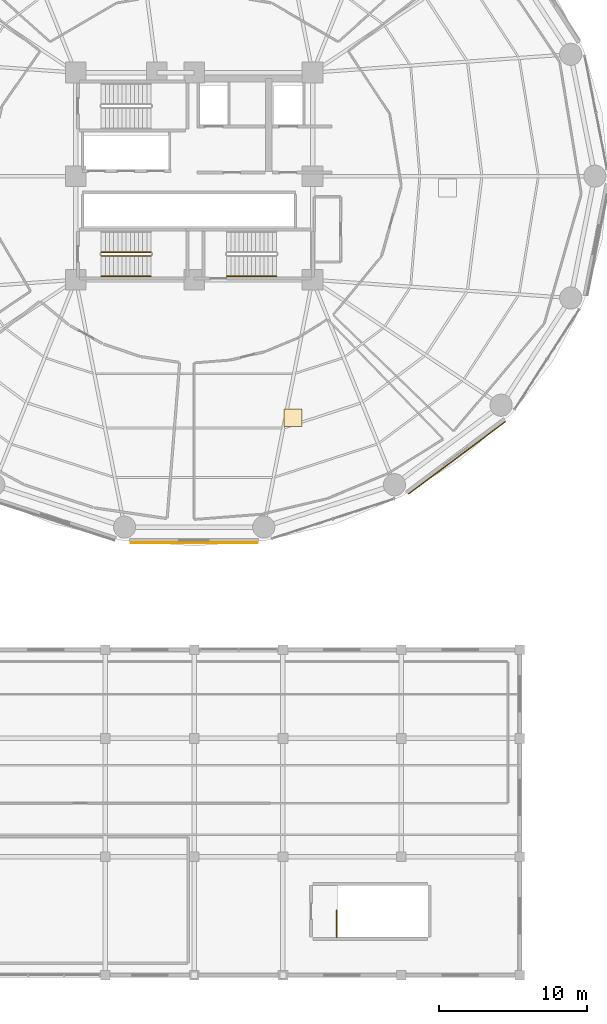
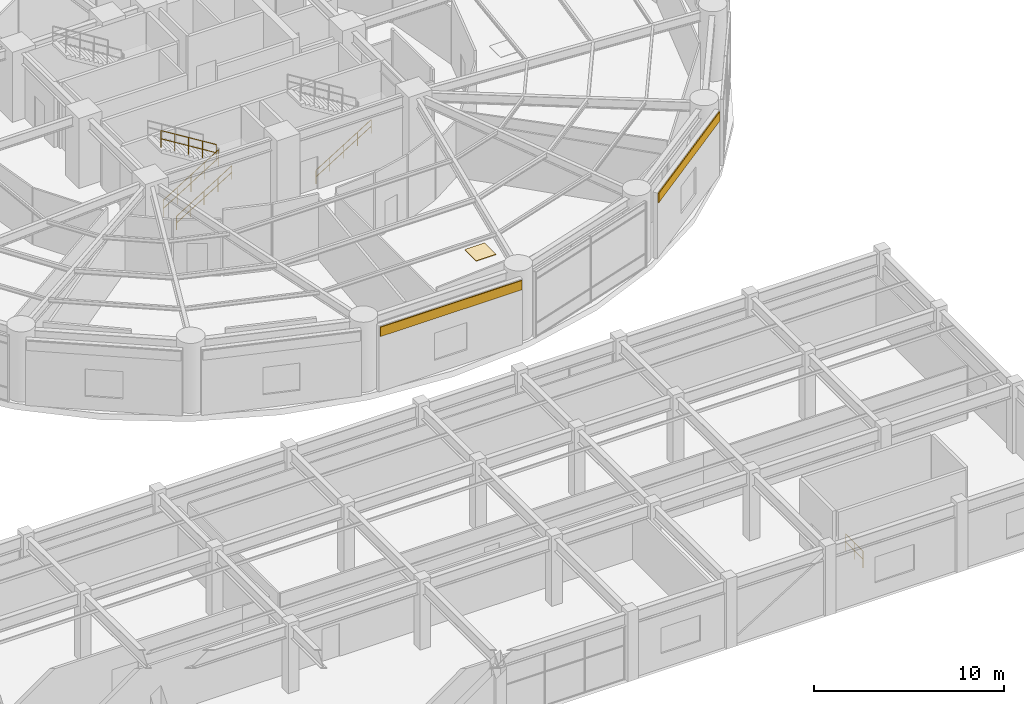
# One storey, part 44 of 46: 5 railings, 3 coverings.
"""IFC4 building model written with IfcOpenShell, lengths in metres."""

from ifc_helpers import new_model, si_unit, direction, frame, origin, origin_2d, place, context, subcontext, project, spatial, polyline, rectangle, outline, extrude, source, transform, mapped, material, layer, layer_set, type_object, element, save


model = new_model("IFC4")

# Units and contexts
model_context = context("Model", 3, precision=1e-05, world=origin(), true_north=direction((0.0, 1.0)))
body_context = subcontext(model_context, "Body", "Model", "MODEL_VIEW")
ifc_project = project(units=[si_unit("LENGTHUNIT", "METRE"), si_unit("AREAUNIT", "SQUARE_METRE"), si_unit("VOLUMEUNIT", "CUBIC_METRE"), si_unit("PLANEANGLEUNIT", "RADIAN"), si_unit("MASSUNIT", "GRAM", prefix="KILO")], contexts=[model_context])

# Site, building, storey
site_placement = place(None, origin())
site = spatial("IfcSite", under=ifc_project, at=site_placement, CompositionType="ELEMENT")
building_placement = place(site_placement, origin())
building = spatial("IfcBuilding", under=site, at=building_placement, Name="Kelanora Arch Commons", CompositionType="ELEMENT")
storey_placement = place(building_placement, frame((0.0, 0.0, 18.0)))
storey = spatial("IfcBuildingStorey", under=building, at=storey_placement, Name="L04", CompositionType="ELEMENT", Elevation=18.0)

# Railings
ifc_material_1 = material(Name="Painted steel stair well guard", Category="steel")
railing_type_1 = type_object("IfcRailingType", Name="RAIL-STAIR-GRD", PredefinedType="GUARDRAIL", material=ifc_material_1)
railing_1_placement = place(storey_placement, frame((67.719970703125, 52.610107421875, 0.173095703125)))
element("IfcRailing", 1, at=railing_1_placement, inside=storey, type_object=railing_type_1, Name="L04 ST-T3 stair guard 1", PredefinedType="GUARDRAIL", context=body_context, shape_type="SweptSolid", body=[
    extrude(outline(polyline([(0.02392578125, 0.0), (0.011962890625, 0.020751953125), (-0.011962890625, 0.020751953125), (-0.02392578125, 0.0), (-0.011962890625, -0.020751953125), (0.011962890625, -0.020751953125), (0.02392578125, 0.0)])), frame((0.0, 0.0, 1.076171875), z_axis=(0.850623216509, 0.0, 0.525775754039), x_axis=(0.0, 1.0, 0.0)), (0.0, 0.0, 1.0), 3.9501953125),
    extrude(outline(polyline([(0.02392578125, 0.0), (0.011962890625, 0.020751953125), (-0.011962890625, 0.020751953125), (-0.02392578125, 0.0), (-0.011962890625, -0.020751953125), (0.011962890625, -0.020751953125), (0.02392578125, 0.0)])), frame((0.0, 0.0, 0.550048828125), z_axis=(0.850623216509, 0.0, 0.525775754039), x_axis=(0.0, 1.0, 0.0)), (0.0, 0.0, 1.0), 3.9501953125),
    extrude(outline(polyline([(0.02099609375, 0.0), (0.010498046875, 0.01806640625), (-0.010498046875, 0.01806640625), (-0.02099609375, 0.0), (-0.010498046875, -0.01806640625), (0.010498046875, -0.01806640625), (0.02099609375, 0.0)])), origin(), (0.0, 0.0, 1.0), 1.052001953125),
    extrude(outline(polyline([(0.02099609375, 0.0), (0.010498046875, 0.01806640625), (-0.010498046875, 0.01806640625), (-0.02099609375, 0.0), (-0.010498046875, -0.01806640625), (0.010498046875, -0.01806640625), (0.02099609375, 0.0)])), frame((0.840087890625, 0.0, 0.519287109375)), (0.0, 0.0, 1.0), 1.052001953125),
    extrude(outline(polyline([(0.02099609375, 0.0), (0.010498046875, 0.01806640625), (-0.010498046875, 0.01806640625), (-0.02099609375, 0.0), (-0.010498046875, -0.01806640625), (0.010498046875, -0.01806640625), (0.02099609375, 0.0)])), frame((1.68017578125, 0.0, 1.03857421875)), (0.0, 0.0, 1.0), 1.052001953125),
    extrude(outline(polyline([(0.02099609375, 0.0), (0.010498046875, 0.01806640625), (-0.010498046875, 0.01806640625), (-0.02099609375, 0.0), (-0.010498046875, -0.01806640625), (0.010498046875, -0.01806640625), (0.02099609375, 0.0)])), frame((2.52001953125, 0.0, 1.5576171875)), (0.0, 0.0, 1.0), 1.052001953125),
    extrude(outline(polyline([(0.02099609375, 0.0), (0.010498046875, 0.01806640625), (-0.010498046875, 0.01806640625), (-0.02099609375, 0.0), (-0.010498046875, -0.01806640625), (0.010498046875, -0.01806640625), (0.02099609375, 0.0)])), frame((3.360107421875, 0.0, 2.076904296875)), (0.0, 0.0, 1.0), 1.052001953125),
])
railing_2_placement = place(storey_placement, frame((71.080078125, 52.860107421875, 2.423095703125)))
element("IfcRailing", 2, at=railing_2_placement, inside=storey, type_object=railing_type_1, Name="L04 ST-T3 stair guard 3", PredefinedType="GUARDRAIL", context=body_context, shape_type="SweptSolid", body=[
    extrude(outline(polyline([(0.02392578125, 0.0), (0.011962890625, 0.020751953125), (-0.011962890625, 0.020751953125), (-0.02392578125, 0.0), (-0.011962890625, -0.020751953125), (0.011962890625, -0.020751953125), (0.02392578125, 0.0)])), frame((0.0, 0.0, 1.076171875), z_axis=(-0.850623216509, 0.0, 0.525775754039), x_axis=(0.0, -1.0, 0.0)), (0.0, 0.0, 1.0), 3.9501953125),
    extrude(outline(polyline([(0.02392578125, 0.0), (0.011962890625, 0.020751953125), (-0.011962890625, 0.020751953125), (-0.02392578125, 0.0), (-0.011962890625, -0.020751953125), (0.011962890625, -0.020751953125), (0.02392578125, 0.0)])), frame((0.0, 0.0, 0.550048828125), z_axis=(-0.850623216509, 0.0, 0.525775754039), x_axis=(0.0, -1.0, 0.0)), (0.0, 0.0, 1.0), 3.9501953125),
    extrude(outline(polyline([(0.02099609375, 0.0), (0.010498046875, 0.01806640625), (-0.010498046875, 0.01806640625), (-0.02099609375, 0.0), (-0.010498046875, -0.01806640625), (0.010498046875, -0.01806640625), (0.02099609375, 0.0)])), origin(), (0.0, 0.0, 1.0), 1.052001953125),
    extrude(outline(polyline([(0.02099609375, 0.0), (0.010498046875, 0.01806640625), (-0.010498046875, 0.01806640625), (-0.02099609375, 0.0), (-0.010498046875, -0.01806640625), (0.010498046875, -0.01806640625), (0.02099609375, 0.0)])), frame((-0.840087890625, 0.0, 0.519287109375)), (0.0, 0.0, 1.0), 1.052001953125),
    extrude(outline(polyline([(0.02099609375, 0.0), (0.010498046875, 0.01806640625), (-0.010498046875, 0.01806640625), (-0.02099609375, 0.0), (-0.010498046875, -0.01806640625), (0.010498046875, -0.01806640625), (0.02099609375, 0.0)])), frame((-1.68017578125, 0.0, 1.03857421875)), (0.0, 0.0, 1.0), 1.052001953125),
    extrude(outline(polyline([(0.02099609375, 0.0), (0.010498046875, 0.01806640625), (-0.010498046875, 0.01806640625), (-0.02099609375, 0.0), (-0.010498046875, -0.01806640625), (0.010498046875, -0.01806640625), (0.02099609375, 0.0)])), frame((-2.52001953125, 0.0, 1.5576171875)), (0.0, 0.0, 1.0), 1.052001953125),
    extrude(outline(polyline([(0.02099609375, 0.0), (0.010498046875, 0.01806640625), (-0.010498046875, 0.01806640625), (-0.02099609375, 0.0), (-0.010498046875, -0.01806640625), (0.010498046875, -0.01806640625), (0.02099609375, 0.0)])), frame((-3.360107421875, 0.0, 2.076904296875)), (0.0, 0.0, 1.0), 1.052001953125),
])
railing_3_placement = place(storey_placement, frame((83.6298828125, 6.56005859375, 0.0)))
element("IfcRailing", 3, at=railing_3_placement, inside=storey, type_object=railing_type_1, Name="L04 ST-M2 top well guard 1", PredefinedType="GUARDRAIL", context=body_context, shape_type="SweptSolid", body=[
    extrude(outline(polyline([(0.02392578125, 0.0), (0.011962890625, 0.020751953125), (-0.011962890625, 0.020751953125), (-0.02392578125, 0.0), (-0.011962890625, -0.020751953125), (0.011962890625, -0.020751953125), (0.02392578125, 0.0)])), frame((0.0, 0.0, 1.076171875), z_axis=(0.0, 1.0, 0.0), x_axis=(-1.0, 0.0, 0.0)), (0.0, 0.0, 1.0), 1.829833984375),
    extrude(outline(polyline([(0.02392578125, 0.0), (0.011962890625, 0.020751953125), (-0.011962890625, 0.020751953125), (-0.02392578125, 0.0), (-0.011962890625, -0.020751953125), (0.011962890625, -0.020751953125), (0.02392578125, 0.0)])), frame((0.0, 0.0, 0.550048828125), z_axis=(0.0, 1.0, 0.0), x_axis=(-1.0, 0.0, 0.0)), (0.0, 0.0, 1.0), 1.829833984375),
    extrude(outline(polyline([(0.02099609375, 0.0), (0.010498046875, 0.01806640625), (-0.010498046875, 0.01806640625), (-0.02099609375, 0.0), (-0.010498046875, -0.01806640625), (0.010498046875, -0.01806640625), (0.02099609375, 0.0)])), origin(), (0.0, 0.0, 1.0), 1.052001953125),
    extrude(outline(polyline([(0.02099609375, 0.0), (0.010498046875, 0.01806640625), (-0.010498046875, 0.01806640625), (-0.02099609375, 0.0), (-0.010498046875, -0.01806640625), (0.010498046875, -0.01806640625), (0.02099609375, 0.0)])), frame((0.0, 0.9150390625, 0.0)), (0.0, 0.0, 1.0), 1.052001953125),
    extrude(outline(polyline([(0.02099609375, 0.0), (0.010498046875, 0.01806640625), (-0.010498046875, 0.01806640625), (-0.02099609375, 0.0), (-0.010498046875, -0.01806640625), (0.010498046875, -0.01806640625), (0.02099609375, 0.0)])), frame((0.0, 1.829833984375, 0.0)), (0.0, 0.0, 1.0), 1.052001953125),
])
ifc_material_2 = material(Name="Brushed stainless steel stair handrail", Category="steel")
railing_type_2 = type_object("IfcRailingType", Name="RAIL-STAIR-HND", PredefinedType="HANDRAIL", material=ifc_material_2)
railing_4_placement = place(storey_placement, frame((76.199951171875, 51.22998046875, 0.173095703125)))
element("IfcRailing", 4, at=railing_4_placement, inside=storey, type_object=railing_type_2, Name="L04 ST-T2 stair handrail 1", PredefinedType="HANDRAIL", context=body_context, shape_type="SweptSolid", body=[
    extrude(outline(polyline([(0.02392578125, 0.0), (0.011962890625, 0.020751953125), (-0.011962890625, 0.020751953125), (-0.02392578125, 0.0), (-0.011962890625, -0.020751953125), (0.011962890625, -0.020751953125), (0.02392578125, 0.0)])), frame((0.0, 0.0, 0.8759765625), z_axis=(0.850623216509, 0.0, 0.525775754039), x_axis=(0.0, 1.0, 0.0)), (0.0, 0.0, 1.0), 3.9501953125),
    extrude(outline(polyline([(0.02392578125, 0.0), (0.011962890625, 0.020751953125), (-0.011962890625, 0.020751953125), (-0.02392578125, 0.0), (-0.011962890625, -0.020751953125), (0.011962890625, -0.020751953125), (0.02392578125, 0.0)])), frame((0.0, 0.0, 0.449951171875), z_axis=(0.850623216509, 0.0, 0.525775754039), x_axis=(0.0, 1.0, 0.0)), (0.0, 0.0, 1.0), 3.9501953125),
    extrude(outline(polyline([(0.02099609375, 0.0), (0.010498046875, 0.01806640625), (-0.010498046875, 0.01806640625), (-0.02099609375, 0.0), (-0.010498046875, -0.01806640625), (0.010498046875, -0.01806640625), (0.02099609375, 0.0)])), origin(), (0.0, 0.0, 1.0), 0.851806640625),
    extrude(outline(polyline([(0.02099609375, 0.0), (0.010498046875, 0.01806640625), (-0.010498046875, 0.01806640625), (-0.02099609375, 0.0), (-0.010498046875, -0.01806640625), (0.010498046875, -0.01806640625), (0.02099609375, 0.0)])), frame((0.840087890625, 0.0, 0.519287109375)), (0.0, 0.0, 1.0), 0.851806640625),
    extrude(outline(polyline([(0.02099609375, 0.0), (0.010498046875, 0.01806640625), (-0.010498046875, 0.01806640625), (-0.02099609375, 0.0), (-0.010498046875, -0.01806640625), (0.010498046875, -0.01806640625), (0.02099609375, 0.0)])), frame((1.68017578125, 0.0, 1.03857421875)), (0.0, 0.0, 1.0), 0.851806640625),
    extrude(outline(polyline([(0.02099609375, 0.0), (0.010498046875, 0.01806640625), (-0.010498046875, 0.01806640625), (-0.02099609375, 0.0), (-0.010498046875, -0.01806640625), (0.010498046875, -0.01806640625), (0.02099609375, 0.0)])), frame((2.52001953125, 0.0, 1.5576171875)), (0.0, 0.0, 1.0), 0.851806640625),
    extrude(outline(polyline([(0.02099609375, 0.0), (0.010498046875, 0.01806640625), (-0.010498046875, 0.01806640625), (-0.02099609375, 0.0), (-0.010498046875, -0.01806640625), (0.010498046875, -0.01806640625), (0.02099609375, 0.0)])), frame((3.360107421875, 0.0, 2.076904296875)), (0.0, 0.0, 1.0), 0.851806640625),
])
railing_5_placement = place(storey_placement, frame((67.719970703125, 51.22998046875, 0.173095703125)))
element("IfcRailing", 5, at=railing_5_placement, inside=storey, type_object=railing_type_2, Name="L04 ST-T3 stair handrail 1", PredefinedType="HANDRAIL", context=body_context, shape_type="SweptSolid", body=[
    extrude(outline(polyline([(0.02392578125, 0.0), (0.011962890625, 0.020751953125), (-0.011962890625, 0.020751953125), (-0.02392578125, 0.0), (-0.011962890625, -0.020751953125), (0.011962890625, -0.020751953125), (0.02392578125, 0.0)])), frame((0.0, 0.0, 0.8759765625), z_axis=(0.850623216509, 0.0, 0.525775754039), x_axis=(0.0, 1.0, 0.0)), (0.0, 0.0, 1.0), 3.9501953125),
    extrude(outline(polyline([(0.02392578125, 0.0), (0.011962890625, 0.020751953125), (-0.011962890625, 0.020751953125), (-0.02392578125, 0.0), (-0.011962890625, -0.020751953125), (0.011962890625, -0.020751953125), (0.02392578125, 0.0)])), frame((0.0, 0.0, 0.449951171875), z_axis=(0.850623216509, 0.0, 0.525775754039), x_axis=(0.0, 1.0, 0.0)), (0.0, 0.0, 1.0), 3.9501953125),
    extrude(outline(polyline([(0.02099609375, 0.0), (0.010498046875, 0.01806640625), (-0.010498046875, 0.01806640625), (-0.02099609375, 0.0), (-0.010498046875, -0.01806640625), (0.010498046875, -0.01806640625), (0.02099609375, 0.0)])), origin(), (0.0, 0.0, 1.0), 0.851806640625),
    extrude(outline(polyline([(0.02099609375, 0.0), (0.010498046875, 0.01806640625), (-0.010498046875, 0.01806640625), (-0.02099609375, 0.0), (-0.010498046875, -0.01806640625), (0.010498046875, -0.01806640625), (0.02099609375, 0.0)])), frame((0.840087890625, 0.0, 0.519287109375)), (0.0, 0.0, 1.0), 0.851806640625),
    extrude(outline(polyline([(0.02099609375, 0.0), (0.010498046875, 0.01806640625), (-0.010498046875, 0.01806640625), (-0.02099609375, 0.0), (-0.010498046875, -0.01806640625), (0.010498046875, -0.01806640625), (0.02099609375, 0.0)])), frame((1.68017578125, 0.0, 1.03857421875)), (0.0, 0.0, 1.0), 0.851806640625),
    extrude(outline(polyline([(0.02099609375, 0.0), (0.010498046875, 0.01806640625), (-0.010498046875, 0.01806640625), (-0.02099609375, 0.0), (-0.010498046875, -0.01806640625), (0.010498046875, -0.01806640625), (0.02099609375, 0.0)])), frame((2.52001953125, 0.0, 1.5576171875)), (0.0, 0.0, 1.0), 0.851806640625),
    extrude(outline(polyline([(0.02099609375, 0.0), (0.010498046875, 0.01806640625), (-0.010498046875, 0.01806640625), (-0.02099609375, 0.0), (-0.010498046875, -0.01806640625), (0.010498046875, -0.01806640625), (0.02099609375, 0.0)])), frame((3.360107421875, 0.0, 2.076904296875)), (0.0, 0.0, 1.0), 0.851806640625),
])

# Coverings
ifc_material_3 = material(Name="Glazed architectural terracotta spandrel cladding", Category="masonry")
ifc_layer_1 = layer(ifc_material_3, 0.06005859375)
ifc_layer_set_1 = layer_set([ifc_layer_1], Name="Glazed architectural terracotta spandrel cladding")
covering_type_1 = type_object("IfcCoveringType", Name="COV-CLAD-TC", PredefinedType="CLADDING", material=ifc_layer_set_1)
shared_shape_1 = source(origin(), body_context, "Body", "SweptSolid", [
    extrude(rectangle(XDim=8.591796875, YDim=0.06005859375, at=origin_2d()), origin(), (0.0, 0.0, 1.0), 0.60009765625),
])
covering_1_placement = place(storey_placement, frame((74.0, 33.2216796875, 3.574951171875), z_axis=(0.0, 0.0, 1.0), x_axis=(1.0, 0.0, 0.0)))
element("IfcCovering", 6, at=covering_1_placement, inside=storey, type_object=covering_type_1, Name="Terracotta Spandrel Cladding L04-B13", PredefinedType="CLADDING", context=body_context, shape_type="MappedRepresentation", body=[
    mapped(shared_shape_1, transform((0.0, 0.0, 0.0), scale=1.0)),
])
shared_shape_2 = source(origin(), body_context, "Body", "SweptSolid", [
    extrude(rectangle(XDim=8.17041015625, YDim=0.06005859375, at=origin_2d()), origin(), (0.0, 0.0, 1.0), 0.60009765625),
])
covering_2_placement = place(storey_placement, frame((91.760986328125, 38.9697265625, 3.574951171875), z_axis=(0.0, 0.0, 1.0), x_axis=(0.800309643984, 0.599586919259, 0.0)))
element("IfcCovering", 7, at=covering_2_placement, inside=storey, type_object=covering_type_1, Name="Terracotta Spandrel Cladding L04-B15", PredefinedType="CLADDING", context=body_context, shape_type="MappedRepresentation", body=[
    mapped(shared_shape_2, transform((0.0, 0.0, 0.0), scale=1.0)),
])
ifc_material_4 = material(Name="Polished local granite terrazzo flooring", Category="masonry")
ifc_layer_2 = layer(ifc_material_4, 0.030029296875)
ifc_layer_set_2 = layer_set([ifc_layer_2], Name="Polished local granite terrazzo flooring")
covering_type_2 = type_object("IfcCoveringType", Name="COV-FLR-TER", PredefinedType="FLOORING", material=ifc_layer_set_2)
shared_shape_3 = source(origin(), body_context, "Body", "SweptSolid", [
    extrude(rectangle(XDim=1.199951171875, YDim=1.199951171875, at=origin_2d()), origin(), (0.0, 0.0, 1.0), 0.030029296875),
])
covering_3_placement = place(storey_placement, frame((80.67041015625, 41.678466796875, 0.0), z_axis=(0.0, 0.0, 1.0), x_axis=(1.0, 0.0, 0.0)))
element("IfcCovering", 8, at=covering_3_placement, inside=storey, type_object=covering_type_2, Name="Quiet Library Reading Gallery L04-D Terrazzo Finish", PredefinedType="FLOORING", context=body_context, shape_type="MappedRepresentation", body=[
    mapped(shared_shape_3, transform((0.0, 0.0, 0.0), scale=1.0)),
])

save(model, "model.ifc")
